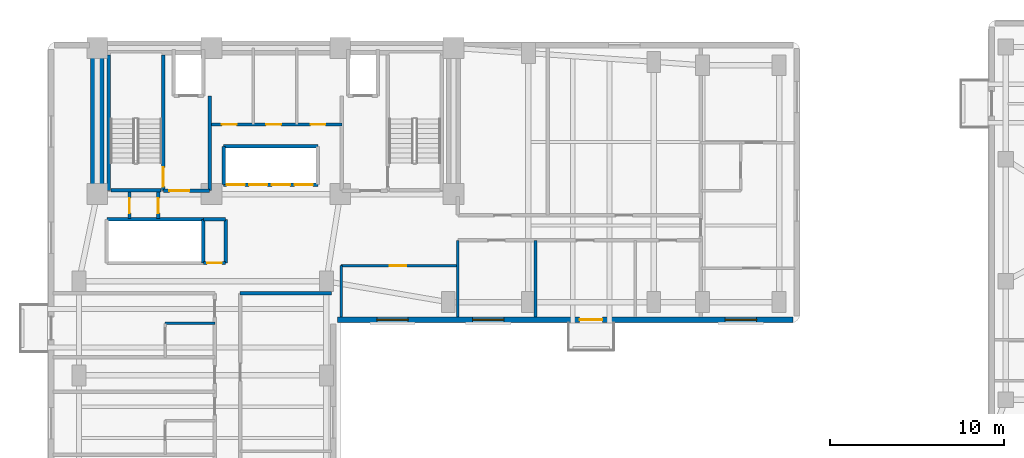
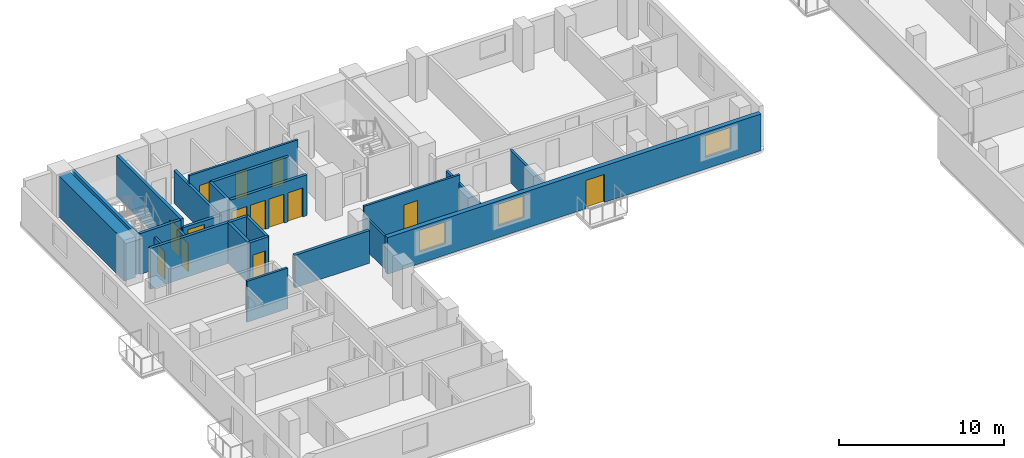
# One storey, part 4 of 11: 24 walls, 14 doors, 3 windows, 17 openings.
"""IFC4 building model written with IfcOpenShell, lengths in metres."""

from ifc_helpers import new_model, si_unit, direction, frame, frame_2d, origin, place, context, subcontext, project, spatial, rectangle, extrude, material, layer, layer_set, type_object, element, fill, save


model = new_model("IFC4")

# Units and contexts
model_context = context("Model", 3, precision=1e-05, world=origin(), true_north=direction((0.0, 1.0)))
body_context = subcontext(model_context, "Body", "Model", "MODEL_VIEW")
ifc_project = project(units=[si_unit("LENGTHUNIT", "METRE"), si_unit("AREAUNIT", "SQUARE_METRE"), si_unit("VOLUMEUNIT", "CUBIC_METRE"), si_unit("PLANEANGLEUNIT", "RADIAN"), si_unit("MASSUNIT", "GRAM", prefix="KILO")], contexts=[model_context])

# Site, building, storey
site_placement = place(None, origin())
site = spatial("IfcSite", under=ifc_project, at=site_placement, CompositionType="ELEMENT")
building_placement = place(site_placement, origin())
building = spatial("IfcBuilding", under=site, at=building_placement, Name="Kuzgunbayir Cultural Tower", CompositionType="ELEMENT")
storey_placement = place(building_placement, frame((0.0, 0.0, 83.39990234375)))
storey = spatial("IfcBuildingStorey", under=building, at=storey_placement, Name="L23", CompositionType="ELEMENT", Elevation=83.39990234375)

# Wall
ifc_material_1 = material(Name="Concrete C60/75", Category="concrete")
ifc_layer_1 = layer(ifc_material_1, 0.800048828125)
ifc_layer_set_1 = layer_set([ifc_layer_1], Name="Concrete C60/75")
wall_type_1 = type_object("IfcWallType", Name="WAL-CORE-800", PredefinedType="SHEAR", material=ifc_layer_set_1)
wall_1_placement = place(storey_placement, frame((6.449951171875, 33.800048828125, 0.0), z_axis=(0.0, 0.0, 1.0), x_axis=(0.0, 1.0, 0.0)))
element("IfcWall", 1, at=wall_1_placement, inside=storey, type_object=wall_type_1, Name="L23 T1 Core West Shear Wall", PredefinedType="SHEAR", context=body_context, shape_type="SweptSolid", body=[
    extrude(rectangle(XDim=7.949951171875, YDim=0.800048828125, at=frame_2d((3.97509765625, 0.0))), origin(), (0.0, 0.0, 1.0), 3.02001953125),
])

# Wall, openings, door, windows
ifc_material_2 = material(Name="Travertine Buff Ashlar", Category="masonry")
ifc_layer_2 = layer(ifc_material_2, 0.320068359375)
ifc_layer_set_2 = layer_set([ifc_layer_2], Name="Travertine Buff Ashlar")
wall_type_2 = type_object("IfcWallType", Name="WAL-EXT-STONE-320", PredefinedType="STANDARD", material=ifc_layer_set_2)
wall_2_placement = place(storey_placement, frame((20.25, 26.60009765625, 0.0), z_axis=(0.0, 0.0, 1.0), x_axis=(1.0, 0.0, 0.0)))
wall_2 = element("IfcWall", 2, at=wall_2_placement, inside=storey, type_object=wall_type_2, Name="L23 Wing B South Limestone Wall", PredefinedType="STANDARD", context=body_context, shape_type="SweptSolid", body=[
    extrude(rectangle(XDim=26.14990234375, YDim=0.320068359375, at=frame_2d((13.074951171875, 0.0))), origin(), (0.0, 0.0, 1.0), 2.710205078125),
])
opening_1_placement = place(wall_2_placement, frame((13.89990234375, 0.0, 0.0)))
opening_1 = element("IfcOpeningElement", 3, at=opening_1_placement, cuts=wall_2, Name="Opening BD-13", PredefinedType="OPENING", context=body_context, shape_type="SweptSolid", body=[
    extrude(rectangle(XDim=1.300048828125, YDim=2.080078125, at=frame_2d((0.64990234375, 1.0400390625))), frame((0.0, 0.169921875, 0.0), z_axis=(0.0, -1.0, 0.0), x_axis=(1.0, 0.0, 0.0)), (0.0, 0.0, 1.0), 0.340087890625),
])
opening_2_placement = place(wall_2_placement, frame((2.25, 0.0, 0.85009765625)))
opening_2 = element("IfcOpeningElement", 4, at=opening_2_placement, cuts=wall_2, Name="Opening WH-18", PredefinedType="OPENING", context=body_context, shape_type="SweptSolid", body=[
    extrude(rectangle(XDim=1.800048828125, YDim=1.610107421875, at=frame_2d((0.89990234375, 0.80517578125))), frame((0.0, 0.169921875, 0.0), z_axis=(0.0, -1.0, 0.0), x_axis=(1.0, 0.0, 0.0)), (0.0, 0.0, 1.0), 0.340087890625),
])
opening_3_placement = place(wall_2_placement, frame((7.75, 0.0, 0.85009765625)))
opening_3 = element("IfcOpeningElement", 5, at=opening_3_placement, cuts=wall_2, Name="Opening WH-18", PredefinedType="OPENING", context=body_context, shape_type="SweptSolid", body=[
    extrude(rectangle(XDim=1.800048828125, YDim=1.610107421875, at=frame_2d((0.89990234375, 0.80517578125))), frame((0.0, 0.169921875, 0.0), z_axis=(0.0, -1.0, 0.0), x_axis=(1.0, 0.0, 0.0)), (0.0, 0.0, 1.0), 0.340087890625),
])
opening_4_placement = place(wall_2_placement, frame((22.25, 0.0, 0.85009765625)))
opening_4 = element("IfcOpeningElement", 6, at=opening_4_placement, cuts=wall_2, Name="Opening WH-18", PredefinedType="OPENING", context=body_context, shape_type="SweptSolid", body=[
    extrude(rectangle(XDim=1.800048828125, YDim=1.610107421875, at=frame_2d((0.89990234375, 0.80517578125))), frame((0.0, 0.169921875, 0.0), z_axis=(0.0, -1.0, 0.0), x_axis=(1.0, 0.0, 0.0)), (0.0, 0.0, 1.0), 0.340087890625),
])
ifc_material_3 = material(Name="Thermally Broken Glazed Aluminium", Category="aluminium")
door_type_1 = type_object("IfcDoorType", Name="DR-BALCONY-135", OperationType="SLIDING_TO_LEFT", PredefinedType="DOOR", material=ifc_material_3)
door_1_placement = place(opening_1_placement, origin())
door_1 = element("IfcDoor", 7, at=door_1_placement, inside=storey, type_object=door_type_1, Name="L23 South Balcony Sliding Door BAL-L23-WB2", OperationType="SLIDING_TO_LEFT", OverallHeight=2.080078125, OverallWidth=1.300048828125, PredefinedType="DOOR", context=body_context, shape_type="SweptSolid", body=[
    extrude(rectangle(XDim=1.300048828125, YDim=2.080078125, at=frame_2d((0.64990234375, 1.0400390625))), frame((0.0, 0.02490234375, 0.0), z_axis=(0.0, -1.0, 0.0), x_axis=(1.0, 0.0, 0.0)), (0.0, 0.0, 1.0), 0.050048828125),
])
fill(opening_1, door_1)
ifc_material_4 = material(Name="Solar-Control Triple Glazing", Category="glass")
window_type = type_object("IfcWindowType", Name="WIN-HOTEL-18", PartitioningType="SINGLE_PANEL", PredefinedType="WINDOW", material=ifc_material_4)
window_1_placement = place(opening_2_placement, origin())
window_1 = element("IfcWindow", 8, at=window_1_placement, inside=storey, type_object=window_type, Name="L23 WBS Facade Window 11", OverallHeight=1.610107421875, OverallWidth=1.800048828125, PartitioningType="SINGLE_PANEL", PredefinedType="WINDOW", context=body_context, shape_type="SweptSolid", body=[
    extrude(rectangle(XDim=1.800048828125, YDim=1.610107421875, at=frame_2d((0.89990234375, 0.80517578125))), frame((0.0, 0.030029296875, 0.0), z_axis=(0.0, -1.0, 0.0), x_axis=(1.0, 0.0, 0.0)), (0.0, 0.0, 1.0), 0.06005859375),
])
fill(opening_2, window_1)
window_2_placement = place(opening_3_placement, origin())
window_2 = element("IfcWindow", 9, at=window_2_placement, inside=storey, type_object=window_type, Name="L23 WBS Facade Window 12", OverallHeight=1.610107421875, OverallWidth=1.800048828125, PartitioningType="SINGLE_PANEL", PredefinedType="WINDOW", context=body_context, shape_type="SweptSolid", body=[
    extrude(rectangle(XDim=1.800048828125, YDim=1.610107421875, at=frame_2d((0.89990234375, 0.80517578125))), frame((0.0, 0.030029296875, 0.0), z_axis=(0.0, -1.0, 0.0), x_axis=(1.0, 0.0, 0.0)), (0.0, 0.0, 1.0), 0.06005859375),
])
fill(opening_3, window_2)
window_3_placement = place(opening_4_placement, origin())
window_3 = element("IfcWindow", 10, at=window_3_placement, inside=storey, type_object=window_type, Name="L23 WBS Facade Window 13", OverallHeight=1.610107421875, OverallWidth=1.800048828125, PartitioningType="SINGLE_PANEL", PredefinedType="WINDOW", context=body_context, shape_type="SweptSolid", body=[
    extrude(rectangle(XDim=1.800048828125, YDim=1.610107421875, at=frame_2d((0.89990234375, 0.80517578125))), frame((0.0, 0.030029296875, 0.0), z_axis=(0.0, -1.0, 0.0), x_axis=(1.0, 0.0, 0.0)), (0.0, 0.0, 1.0), 0.06005859375),
])
fill(opening_4, window_3)

# Wall, opening, door
ifc_material_5 = material(Name="Acoustic Double-Stud Drywall", Category="gypsum")
ifc_layer_3 = layer(ifc_material_5, 0.14990234375)
ifc_layer_set_3 = layer_set([ifc_layer_3], Name="Acoustic Double-Stud Drywall")
wall_type_3 = type_object("IfcWallType", Name="WAL-PART-ACOUSTIC-150", PredefinedType="PARTITIONING", material=ifc_layer_set_3)
wall_3_placement = place(storey_placement, frame((8.300048828125, 32.39990234375, 0.0), z_axis=(0.0, 0.0, 1.0), x_axis=(0.0, 1.0, 0.0)))
wall_3 = element("IfcWall", 11, at=wall_3_placement, inside=storey, type_object=wall_type_3, Name="L23 West Core Closet Divider", PredefinedType="PARTITIONING", context=body_context, shape_type="SweptSolid", body=[
    extrude(rectangle(XDim=1.52001953125, YDim=0.14990234375, at=frame_2d((0.760009765625, 0.0))), origin(), (0.0, 0.0, 1.0), 2.41015625),
])
opening_5_placement = place(wall_3_placement, frame((0.320068359375, 0.0, 0.0)))
opening_5 = element("IfcOpeningElement", 12, at=opening_5_placement, cuts=wall_3, Name="Opening DR-RSR-60", PredefinedType="OPENING", context=body_context, shape_type="SweptSolid", body=[
    extrude(rectangle(XDim=0.85009765625, YDim=2.050048828125, at=frame_2d((0.425048828125, 1.02490234375))), frame((0.0, 0.0849609375, 0.0), z_axis=(0.0, -1.0, 0.0), x_axis=(1.0, 0.0, 0.0)), (0.0, 0.0, 1.0), 0.169921875),
])
ifc_material_6 = material(Name="Steel Access Leaf", Category="steel")
door_type_2 = type_object("IfcDoorType", Name="DR-RISER-60", OperationType="NOTDEFINED", PredefinedType="DOOR", material=ifc_material_6)
door_2_placement = place(opening_5_placement, origin())
door_2 = element("IfcDoor", 13, at=door_2_placement, inside=storey, type_object=door_type_2, Name="L23 Sub-Meter Closet Door", OperationType="SINGLE_SWING_LEFT", OverallHeight=2.050048828125, OverallWidth=0.85009765625, PredefinedType="DOOR", context=body_context, shape_type="SweptSolid", body=[
    extrude(rectangle(XDim=0.85009765625, YDim=2.050048828125, at=frame_2d((0.425048828125, 1.02490234375))), frame((0.0, 0.02490234375, 0.0), z_axis=(0.0, -1.0, 0.0), x_axis=(1.0, 0.0, 0.0)), (0.0, 0.0, 1.0), 0.050048828125),
])
fill(opening_5, door_2)

# Wall, openings, doors
wall_4_placement = place(storey_placement, frame((12.89990234375, 37.800048828125, 0.0), z_axis=(0.0, 0.0, 1.0), x_axis=(1.0, 0.0, 0.0)))
wall_4 = element("IfcWall", 14, at=wall_4_placement, inside=storey, type_object=wall_type_3, Name="L23 Repurposed Core Suite Wall", PredefinedType="PARTITIONING", context=body_context, shape_type="SweptSolid", body=[
    extrude(rectangle(XDim=7.60009765625, YDim=0.14990234375, at=frame_2d((3.800048828125, 0.0))), origin(), (0.0, 0.0, 1.0), 3.02001953125),
])
opening_6_placement = place(wall_4_placement, frame((0.699951171875, 0.0, 0.0)))
opening_6 = element("IfcOpeningElement", 15, at=opening_6_placement, cuts=wall_4, Name="Opening DC-85", PredefinedType="OPENING", context=body_context, shape_type="SweptSolid", body=[
    extrude(rectangle(XDim=0.85009765625, YDim=2.050048828125, at=frame_2d((0.425048828125, 1.02490234375))), frame((0.0, 0.0849609375, 0.0), z_axis=(0.0, -1.0, 0.0), x_axis=(1.0, 0.0, 0.0)), (0.0, 0.0, 1.0), 0.169921875),
])
opening_7_placement = place(wall_4_placement, frame((3.25, 0.0, 0.0)))
opening_7 = element("IfcOpeningElement", 16, at=opening_7_placement, cuts=wall_4, Name="Opening DC-85", PredefinedType="OPENING", context=body_context, shape_type="SweptSolid", body=[
    extrude(rectangle(XDim=0.85009765625, YDim=2.050048828125, at=frame_2d((0.425048828125, 1.02490234375))), frame((0.0, 0.0849609375, 0.0), z_axis=(0.0, -1.0, 0.0), x_axis=(1.0, 0.0, 0.0)), (0.0, 0.0, 1.0), 0.169921875),
])
opening_8_placement = place(wall_4_placement, frame((5.800048828125, 0.0, 0.0)))
opening_8 = element("IfcOpeningElement", 17, at=opening_8_placement, cuts=wall_4, Name="Opening DC-85", PredefinedType="OPENING", context=body_context, shape_type="SweptSolid", body=[
    extrude(rectangle(XDim=0.85009765625, YDim=2.050048828125, at=frame_2d((0.425048828125, 1.02490234375))), frame((0.0, 0.0849609375, 0.0), z_axis=(0.0, -1.0, 0.0), x_axis=(1.0, 0.0, 0.0)), (0.0, 0.0, 1.0), 0.169921875),
])
ifc_material_7 = material(Name="Fire-Rated Veneered Oak Leaf", Category="wood")
door_type_3 = type_object("IfcDoorType", Name="DR-CORE-85", OperationType="NOTDEFINED", PredefinedType="DOOR", material=ifc_material_7)
door_3_placement = place(opening_6_placement, origin())
door_3 = element("IfcDoor", 18, at=door_3_placement, inside=storey, type_object=door_type_3, Name="L23 Phone Booth Door", OperationType="SINGLE_SWING_LEFT", OverallHeight=2.050048828125, OverallWidth=0.85009765625, PredefinedType="DOOR", context=body_context, shape_type="SweptSolid", body=[
    extrude(rectangle(XDim=0.85009765625, YDim=2.050048828125, at=frame_2d((0.425048828125, 1.02490234375))), frame((0.0, 0.02490234375, 0.0), z_axis=(0.0, -1.0, 0.0), x_axis=(1.0, 0.0, 0.0)), (0.0, 0.0, 1.0), 0.050048828125),
])
fill(opening_6, door_3)
door_4_placement = place(opening_7_placement, origin())
door_4 = element("IfcDoor", 19, at=door_4_placement, inside=storey, type_object=door_type_3, Name="L23 Pantry Alcove Door", OperationType="SINGLE_SWING_RIGHT", OverallHeight=2.050048828125, OverallWidth=0.85009765625, PredefinedType="DOOR", context=body_context, shape_type="SweptSolid", body=[
    extrude(rectangle(XDim=0.85009765625, YDim=2.050048828125, at=frame_2d((0.425048828125, 1.02490234375))), frame((0.0, 0.02490234375, 0.0), z_axis=(0.0, -1.0, 0.0), x_axis=(1.0, 0.0, 0.0)), (0.0, 0.0, 1.0), 0.050048828125),
])
fill(opening_7, door_4)
door_5_placement = place(opening_8_placement, origin())
door_5 = element("IfcDoor", 20, at=door_5_placement, inside=storey, type_object=door_type_3, Name="L23 Telecom Closet Door", OperationType="SINGLE_SWING_LEFT", OverallHeight=2.050048828125, OverallWidth=0.85009765625, PredefinedType="DOOR", context=body_context, shape_type="SweptSolid", body=[
    extrude(rectangle(XDim=0.85009765625, YDim=2.050048828125, at=frame_2d((0.425048828125, 1.02490234375))), frame((0.0, 0.02490234375, 0.0), z_axis=(0.0, -1.0, 0.0), x_axis=(1.0, 0.0, 0.0)), (0.0, 0.0, 1.0), 0.050048828125),
])
fill(opening_8, door_5)

# Wall, opening, door
wall_5_placement = place(storey_placement, frame((20.449951171875, 29.699951171875, 0.0), z_axis=(0.0, 0.0, 1.0), x_axis=(1.0, 0.0, 0.0)))
wall_5 = element("IfcWall", 21, at=wall_5_placement, inside=storey, type_object=wall_type_3, Name="L23 Waist Alcove North Wall", PredefinedType="PARTITIONING", context=body_context, shape_type="SweptSolid", body=[
    extrude(rectangle(XDim=6.699951171875, YDim=0.14990234375, at=frame_2d((3.35009765625, 0.0))), origin(), (0.0, 0.0, 1.0), 3.02001953125),
])
opening_9_placement = place(wall_5_placement, frame((2.800048828125, 0.0, 0.0)))
opening_9 = element("IfcOpeningElement", 22, at=opening_9_placement, cuts=wall_5, Name="Opening DI-90", PredefinedType="OPENING", context=body_context, shape_type="SweptSolid", body=[
    extrude(rectangle(XDim=0.949951171875, YDim=2.14990234375, at=frame_2d((0.47509765625, 1.074951171875))), frame((0.0, 0.0849609375, 0.0), z_axis=(0.0, -1.0, 0.0), x_axis=(1.0, 0.0, 0.0)), (0.0, 0.0, 1.0), 0.169921875),
])
ifc_material_8 = material(Name="Veneered Oak Single Leaf", Category="wood")
door_type_4 = type_object("IfcDoorType", Name="DR-INT-90", OperationType="NOTDEFINED", PredefinedType="DOOR", material=ifc_material_8)
door_6_placement = place(opening_9_placement, origin())
door_6 = element("IfcDoor", 23, at=door_6_placement, inside=storey, type_object=door_type_4, Name="L23 Waist Alcove Door", OperationType="SINGLE_SWING_RIGHT", OverallHeight=2.14990234375, OverallWidth=0.949951171875, PredefinedType="DOOR", context=body_context, shape_type="SweptSolid", body=[
    extrude(rectangle(XDim=0.949951171875, YDim=2.14990234375, at=frame_2d((0.47509765625, 1.074951171875))), frame((0.0, 0.02490234375, 0.0), z_axis=(0.0, -1.0, 0.0), x_axis=(1.0, 0.0, 0.0)), (0.0, 0.0, 1.0), 0.050048828125),
])
fill(opening_9, door_6)

# Walls
wall_6_placement = place(storey_placement, frame((20.449951171875, 26.75, 0.0), z_axis=(0.0, 0.0, 1.0), x_axis=(0.0, 1.0, 0.0)))
element("IfcWall", 24, at=wall_6_placement, inside=storey, type_object=wall_type_3, Name="L23 Waist Alcove West Wall", PredefinedType="PARTITIONING", context=body_context, shape_type="SweptSolid", body=[
    extrude(rectangle(XDim=2.949951171875, YDim=0.14990234375, at=frame_2d((1.47509765625, 0.0))), origin(), (0.0, 0.0, 1.0), 2.41015625),
])
for number, where, z_axis, x_axis, name in (
    (25, (27.14990234375, 26.75, 0.0), (0.0, 0.0, 1.0), (0.0, 1.0, 0.0), "L23 Waist Alcove East Wall"),
    (26, (31.610107421875, 26.75, 0.0), (0.0, 0.0, 1.0), (0.0, 1.0, 0.0), "L23 Wing B South Divider 1"),
):
    element("IfcWall", number, at=place(storey_placement, frame(where, z_axis=z_axis, x_axis=x_axis)), inside=storey, type_object=wall_type_3, Name=name, PredefinedType="PARTITIONING", context=body_context, shape_type="SweptSolid", body=[
        extrude(rectangle(XDim=4.39990234375, YDim=0.14990234375, at=frame_2d((2.199951171875, 0.0))), origin(), (0.0, 0.0, 1.0), 2.41015625),
    ])
ifc_material_9 = material(Name="Aerated Concrete Blockwork", Category="masonry")
ifc_layer_4 = layer(ifc_material_9, 0.199951171875)
ifc_layer_set_4 = layer_set([ifc_layer_4], Name="Aerated Concrete Blockwork")
wall_type_4 = type_object("IfcWallType", Name="WAL-PART-FIRE-200", PredefinedType="PARTITIONING", material=ifc_layer_set_4)
wall_7_placement = place(storey_placement, frame((12.89990234375, 34.0, 0.0), z_axis=(0.0, 0.0, 1.0), x_axis=(0.0, 1.0, 0.0)))
element("IfcWall", 27, at=wall_7_placement, inside=storey, type_object=wall_type_4, Name="L23 FFL-1 Lobby East Fire Wall", PredefinedType="PARTITIONING", context=body_context, shape_type="SweptSolid", body=[
    extrude(rectangle(XDim=5.449951171875, YDim=0.199951171875, at=frame_2d((2.72509765625, 0.0))), origin(), (0.0, 0.0, 1.0), 2.41015625),
])

# Wall, opening, door
wall_8_placement = place(storey_placement, frame((10.239990234375, 34.0, 0.0), z_axis=(0.0, 0.0, 1.0), x_axis=(1.0, 0.0, 0.0)))
wall_8 = element("IfcWall", 28, at=wall_8_placement, inside=storey, type_object=wall_type_4, Name="L23 FFL-1 Lobby South Fire Wall", PredefinedType="PARTITIONING", context=body_context, shape_type="SweptSolid", body=[
    extrude(rectangle(XDim=2.659912109375, YDim=0.199951171875, at=frame_2d((1.330078125, 0.0))), origin(), (0.0, 0.0, 1.0), 2.41015625),
])
opening_10_placement = place(wall_8_placement, frame((0.35009765625, 0.0, 0.0)))
opening_10 = element("IfcOpeningElement", 29, at=opening_10_placement, cuts=wall_8, Name="Opening DR-FFL-90", PredefinedType="OPENING", context=body_context, shape_type="SweptSolid", body=[
    extrude(rectangle(XDim=1.14990234375, YDim=2.14990234375, at=frame_2d((0.574951171875, 1.074951171875))), frame((0.0, 0.10986328125, 0.0), z_axis=(0.0, -1.0, 0.0), x_axis=(1.0, 0.0, 0.0)), (0.0, 0.0, 1.0), 0.219970703125),
])
ifc_material_10 = material(Name="Steel S355J2", Category="steel")
door_type_5 = type_object("IfcDoorType", Name="DR-FFL-90", OperationType="NOTDEFINED", PredefinedType="DOOR", material=ifc_material_10)
door_7_placement = place(opening_10_placement, origin())
door_7 = element("IfcDoor", 30, at=door_7_placement, inside=storey, type_object=door_type_5, Name="L23 Firefighting Lobby 1 Door", OperationType="SINGLE_SWING_RIGHT", OverallHeight=2.14990234375, OverallWidth=1.14990234375, PredefinedType="DOOR", context=body_context, shape_type="SweptSolid", body=[
    extrude(rectangle(XDim=1.14990234375, YDim=2.14990234375, at=frame_2d((0.574951171875, 1.074951171875))), frame((0.0, 0.02490234375, 0.0), z_axis=(0.0, -1.0, 0.0), x_axis=(1.0, 0.0, 0.0)), (0.0, 0.0, 1.0), 0.050048828125),
])
fill(opening_10, door_7)

wall_9_placement = place(storey_placement, frame((9.949951171875, 32.39990234375, 0.0), z_axis=(0.0, 0.0, 1.0), x_axis=(0.0, 1.0, 0.0)))
wall_9 = element("IfcWall", 31, at=wall_9_placement, inside=storey, type_object=wall_type_4, Name="L23 West Core Service Closet Wall", PredefinedType="PARTITIONING", context=body_context, shape_type="SweptSolid", body=[
    extrude(rectangle(XDim=1.52001953125, YDim=0.199951171875, at=frame_2d((0.760009765625, 0.0))), origin(), (0.0, 0.0, 1.0), 2.41015625),
])
opening_11_placement = place(wall_9_placement, frame((0.320068359375, 0.0, 0.0)))
opening_11 = element("IfcOpeningElement", 32, at=opening_11_placement, cuts=wall_9, Name="Opening DR-RSR-60", PredefinedType="OPENING", context=body_context, shape_type="SweptSolid", body=[
    extrude(rectangle(XDim=0.85009765625, YDim=2.050048828125, at=frame_2d((0.425048828125, 1.02490234375))), frame((0.0, 0.10986328125, 0.0), z_axis=(0.0, -1.0, 0.0), x_axis=(1.0, 0.0, 0.0)), (0.0, 0.0, 1.0), 0.219970703125),
])
door_8_placement = place(opening_11_placement, origin())
door_8 = element("IfcDoor", 33, at=door_8_placement, inside=storey, type_object=door_type_2, Name="L23 Cleaner Store Door", OperationType="SINGLE_SWING_RIGHT", OverallHeight=2.050048828125, OverallWidth=0.85009765625, PredefinedType="DOOR", context=body_context, shape_type="SweptSolid", body=[
    extrude(rectangle(XDim=0.85009765625, YDim=2.050048828125, at=frame_2d((0.425048828125, 1.02490234375))), frame((0.0, 0.02490234375, 0.0), z_axis=(0.0, -1.0, 0.0), x_axis=(1.0, 0.0, 0.0)), (0.0, 0.0, 1.0), 0.050048828125),
])
fill(opening_11, door_8)

wall_10_placement = place(storey_placement, frame((12.550048828125, 29.85009765625, 0.0), z_axis=(0.0, 0.0, 1.0), x_axis=(1.0, 0.0, 0.0)))
wall_10 = element("IfcWall", 34, at=wall_10_placement, inside=storey, type_object=wall_type_4, Name="L23 Center Core Switchgear South Wall", PredefinedType="PARTITIONING", context=body_context, shape_type="SweptSolid", body=[
    extrude(rectangle(XDim=1.27001953125, YDim=0.199951171875, at=frame_2d((0.635009765625, 0.0))), origin(), (0.0, 0.0, 1.0), 3.02001953125),
])
opening_12_placement = place(wall_10_placement, frame((0.2099609375, 0.0, 0.0)))
opening_12 = element("IfcOpeningElement", 35, at=opening_12_placement, cuts=wall_10, Name="Opening DR-RSR-60", PredefinedType="OPENING", context=body_context, shape_type="SweptSolid", body=[
    extrude(rectangle(XDim=0.85009765625, YDim=2.050048828125, at=frame_2d((0.425048828125, 1.02490234375))), frame((0.0, 0.10986328125, 0.0), z_axis=(0.0, -1.0, 0.0), x_axis=(1.0, 0.0, 0.0)), (0.0, 0.0, 1.0), 0.219970703125),
])
door_9_placement = place(opening_12_placement, origin())
door_9 = element("IfcDoor", 36, at=door_9_placement, inside=storey, type_object=door_type_2, Name="L23 Telecom Closet Door", OperationType="SINGLE_SWING_RIGHT", OverallHeight=2.050048828125, OverallWidth=0.85009765625, PredefinedType="DOOR", context=body_context, shape_type="SweptSolid", body=[
    extrude(rectangle(XDim=0.85009765625, YDim=2.050048828125, at=frame_2d((0.425048828125, 1.02490234375))), frame((0.0, 0.02490234375, 0.0), z_axis=(0.0, -1.0, 0.0), x_axis=(1.0, 0.0, 0.0)), (0.0, 0.0, 1.0), 0.050048828125),
])
fill(opening_12, door_9)

# Walls
wall_11_placement = place(storey_placement, frame((13.820068359375, 29.85009765625, 0.0), z_axis=(0.0, 0.0, 1.0), x_axis=(0.0, 1.0, 0.0)))
element("IfcWall", 37, at=wall_11_placement, inside=storey, type_object=wall_type_4, Name="L23 Center Core Switchgear East Wall", PredefinedType="PARTITIONING", context=body_context, shape_type="SweptSolid", body=[
    extrude(rectangle(XDim=2.5, YDim=0.199951171875, at=frame_2d((1.25, 0.0))), origin(), (0.0, 0.0, 1.0), 3.02001953125),
])
wall_12_placement = place(storey_placement, frame((12.550048828125, 32.35009765625, 0.0), z_axis=(0.0, 0.0, 1.0), x_axis=(1.0, 0.0, 0.0)))
element("IfcWall", 38, at=wall_12_placement, inside=storey, type_object=wall_type_4, Name="L23 Center Core Switchgear North Wall", PredefinedType="PARTITIONING", context=body_context, shape_type="SweptSolid", body=[
    extrude(rectangle(XDim=1.27001953125, YDim=0.199951171875, at=frame_2d((0.635009765625, 0.0))), origin(), (0.0, 0.0, 1.0), 3.02001953125),
])
wall_13_placement = place(storey_placement, frame((14.659912109375, 28.10009765625, 0.0), z_axis=(0.0, 0.0, 1.0), x_axis=(1.0, 0.0, 0.0)))
element("IfcWall", 39, at=wall_13_placement, inside=storey, type_object=wall_type_4, Name="L23 North East Partition", PredefinedType="PARTITIONING", context=body_context, shape_type="SweptSolid", body=[
    extrude(rectangle(XDim=5.239990234375, YDim=0.199951171875, at=frame_2d((2.6201171875, 0.0))), origin(), (0.0, 0.0, 1.0), 2.41015625),
])
ifc_material_11 = material(Name="Moisture-Resistant Tile Partition", Category="gypsum")
ifc_layer_5 = layer(ifc_material_11, 0.14990234375)
ifc_layer_set_5 = layer_set([ifc_layer_5], Name="Moisture-Resistant Tile Partition")
wall_type_5 = type_object("IfcWallType", Name="WAL-PART-WET-150", PredefinedType="PARTITIONING", material=ifc_layer_set_5)
wall_14_placement = place(storey_placement, frame((10.35009765625, 26.3798828125, 0.0), z_axis=(0.0, 0.0, 1.0), x_axis=(1.0, 0.0, 0.0)))
element("IfcWall", 40, at=wall_14_placement, inside=storey, type_object=wall_type_5, Name="L23 Suite W3 En-Suite North Wall", PredefinedType="PARTITIONING", context=body_context, shape_type="SweptSolid", body=[
    extrude(rectangle(XDim=2.849853515625, YDim=0.14990234375, at=frame_2d((1.4248046875, 0.0))), origin(), (0.0, 0.0, 1.0), 3.02001953125),
])
ifc_material_12 = material(Name="Concrete C40/50", Category="concrete")
ifc_layer_6 = layer(ifc_material_12, 0.199951171875)
ifc_layer_set_6 = layer_set([ifc_layer_6], Name="Concrete C40/50")
wall_type_6 = type_object("IfcWallType", Name="WAL-SHAFT-200", PredefinedType="MOVABLE", material=ifc_layer_set_6)
wall_15_placement = place(storey_placement, frame((7.0, 32.35009765625, 0.0), z_axis=(0.0, 0.0, 1.0), x_axis=(1.0, 0.0, 0.0)))
element("IfcWall", 41, at=wall_15_placement, inside=storey, type_object=wall_type_6, Name="L23 High-Rise Lift Shaft North Wall", PredefinedType="MOVABLE", context=body_context, shape_type="SweptSolid", body=[
    extrude(rectangle(XDim=5.550048828125, YDim=0.199951171875, at=frame_2d((2.77490234375, 0.0))), origin(), (0.0, 0.0, 1.0), 3.02001953125),
])
wall_16_placement = place(storey_placement, frame((12.550048828125, 29.85009765625, 0.0), z_axis=(0.0, 0.0, 1.0), x_axis=(0.0, 1.0, 0.0)))
element("IfcWall", 42, at=wall_16_placement, inside=storey, type_object=wall_type_6, Name="L23 High-Rise Lift Shaft East Wall", PredefinedType="MOVABLE", context=body_context, shape_type="SweptSolid", body=[
    extrude(rectangle(XDim=2.5, YDim=0.199951171875, at=frame_2d((1.25, 0.0))), origin(), (0.0, 0.0, 1.0), 3.02001953125),
])

# Wall, openings, doors
wall_17_placement = place(storey_placement, frame((13.699951171875, 34.35009765625, 0.0), z_axis=(0.0, 0.0, 1.0), x_axis=(1.0, 0.0, 0.0)))
wall_17 = element("IfcWall", 43, at=wall_17_placement, inside=storey, type_object=wall_type_6, Name="L23 Mid-Rise Lift Front Wall", PredefinedType="MOVABLE", context=body_context, shape_type="SweptSolid", body=[
    extrude(rectangle(XDim=5.420166015625, YDim=0.199951171875, at=frame_2d((2.7099609375, 0.0))), origin(), (0.0, 0.0, 1.0), 3.02001953125),
])
opening_13_placement = place(wall_17_placement, frame((0.179931640625, 0.0, 0.0)))
opening_13 = element("IfcOpeningElement", 44, at=opening_13_placement, cuts=wall_17, Name="Opening LD", PredefinedType="OPENING", context=body_context, shape_type="SweptSolid", body=[
    extrude(rectangle(XDim=1.050048828125, YDim=2.14990234375, at=frame_2d((0.52490234375, 1.074951171875))), frame((0.0, 0.10986328125, 0.0), z_axis=(0.0, -1.0, 0.0), x_axis=(1.0, 0.0, 0.0)), (0.0, 0.0, 1.0), 0.219970703125),
])
opening_14_placement = place(wall_17_placement, frame((1.469970703125, 0.0, 0.0)))
opening_14 = element("IfcOpeningElement", 45, at=opening_14_placement, cuts=wall_17, Name="Opening LD", PredefinedType="OPENING", context=body_context, shape_type="SweptSolid", body=[
    extrude(rectangle(XDim=1.050048828125, YDim=2.14990234375, at=frame_2d((0.52490234375, 1.074951171875))), frame((0.0, 0.10986328125, 0.0), z_axis=(0.0, -1.0, 0.0), x_axis=(1.0, 0.0, 0.0)), (0.0, 0.0, 1.0), 0.219970703125),
])
opening_15_placement = place(wall_17_placement, frame((2.780029296875, 0.0, 0.0)))
opening_15 = element("IfcOpeningElement", 46, at=opening_15_placement, cuts=wall_17, Name="Opening LD", PredefinedType="OPENING", context=body_context, shape_type="SweptSolid", body=[
    extrude(rectangle(XDim=1.050048828125, YDim=2.14990234375, at=frame_2d((0.52490234375, 1.074951171875))), frame((0.0, 0.10986328125, 0.0), z_axis=(0.0, -1.0, 0.0), x_axis=(1.0, 0.0, 0.0)), (0.0, 0.0, 1.0), 0.219970703125),
])
opening_16_placement = place(wall_17_placement, frame((4.080078125, 0.0, 0.0)))
opening_16 = element("IfcOpeningElement", 47, at=opening_16_placement, cuts=wall_17, Name="Opening LD", PredefinedType="OPENING", context=body_context, shape_type="SweptSolid", body=[
    extrude(rectangle(XDim=1.050048828125, YDim=2.14990234375, at=frame_2d((0.52490234375, 1.074951171875))), frame((0.0, 0.10986328125, 0.0), z_axis=(0.0, -1.0, 0.0), x_axis=(1.0, 0.0, 0.0)), (0.0, 0.0, 1.0), 0.219970703125),
])
ifc_material_13 = material(Name="Brushed Stainless Steel", Category="steel")
door_type_6 = type_object("IfcDoorType", Name="DR-LIFT-LANDING", OperationType="SLIDING_TO_LEFT", PredefinedType="DOOR", material=ifc_material_13)
door_10_placement = place(opening_13_placement, origin())
door_10 = element("IfcDoor", 48, at=door_10_placement, inside=storey, type_object=door_type_6, Name="L23 Lift PM-1 Landing Door", OperationType="SLIDING_TO_LEFT", OverallHeight=2.14990234375, OverallWidth=1.050048828125, PredefinedType="DOOR", context=body_context, shape_type="SweptSolid", body=[
    extrude(rectangle(XDim=1.050048828125, YDim=2.14990234375, at=frame_2d((0.52490234375, 1.074951171875))), frame((0.0, 0.02490234375, 0.0), z_axis=(0.0, -1.0, 0.0), x_axis=(1.0, 0.0, 0.0)), (0.0, 0.0, 1.0), 0.050048828125),
])
fill(opening_13, door_10)
door_11_placement = place(opening_14_placement, origin())
door_11 = element("IfcDoor", 49, at=door_11_placement, inside=storey, type_object=door_type_6, Name="L23 Lift PM-2 Landing Door", OperationType="SLIDING_TO_LEFT", OverallHeight=2.14990234375, OverallWidth=1.050048828125, PredefinedType="DOOR", context=body_context, shape_type="SweptSolid", body=[
    extrude(rectangle(XDim=1.050048828125, YDim=2.14990234375, at=frame_2d((0.52490234375, 1.074951171875))), frame((0.0, 0.02490234375, 0.0), z_axis=(0.0, -1.0, 0.0), x_axis=(1.0, 0.0, 0.0)), (0.0, 0.0, 1.0), 0.050048828125),
])
fill(opening_14, door_11)
door_12_placement = place(opening_15_placement, origin())
door_12 = element("IfcDoor", 50, at=door_12_placement, inside=storey, type_object=door_type_6, Name="L23 Lift PM-3 Landing Door", OperationType="SLIDING_TO_LEFT", OverallHeight=2.14990234375, OverallWidth=1.050048828125, PredefinedType="DOOR", context=body_context, shape_type="SweptSolid", body=[
    extrude(rectangle(XDim=1.050048828125, YDim=2.14990234375, at=frame_2d((0.52490234375, 1.074951171875))), frame((0.0, 0.02490234375, 0.0), z_axis=(0.0, -1.0, 0.0), x_axis=(1.0, 0.0, 0.0)), (0.0, 0.0, 1.0), 0.050048828125),
])
fill(opening_15, door_12)
door_13_placement = place(opening_16_placement, origin())
door_13 = element("IfcDoor", 51, at=door_13_placement, inside=storey, type_object=door_type_6, Name="L23 Lift PM-4 Landing Door", OperationType="SLIDING_TO_LEFT", OverallHeight=2.14990234375, OverallWidth=1.050048828125, PredefinedType="DOOR", context=body_context, shape_type="SweptSolid", body=[
    extrude(rectangle(XDim=1.050048828125, YDim=2.14990234375, at=frame_2d((0.52490234375, 1.074951171875))), frame((0.0, 0.02490234375, 0.0), z_axis=(0.0, -1.0, 0.0), x_axis=(1.0, 0.0, 0.0)), (0.0, 0.0, 1.0), 0.050048828125),
])
fill(opening_16, door_13)

# Walls
wall_18_placement = place(storey_placement, frame((13.699951171875, 36.550048828125, 0.0), z_axis=(0.0, 0.0, 1.0), x_axis=(1.0, 0.0, 0.0)))
element("IfcWall", 52, at=wall_18_placement, inside=storey, type_object=wall_type_6, Name="L23 Mid-Rise Lift Shaft North Wall", PredefinedType="MOVABLE", context=body_context, shape_type="SweptSolid", body=[
    extrude(rectangle(XDim=5.420166015625, YDim=0.199951171875, at=frame_2d((2.7099609375, 0.0))), origin(), (0.0, 0.0, 1.0), 3.02001953125),
])
wall_19_placement = place(storey_placement, frame((13.699951171875, 34.35009765625, 0.0), z_axis=(0.0, 0.0, 1.0), x_axis=(0.0, 1.0, 0.0)))
element("IfcWall", 53, at=wall_19_placement, inside=storey, type_object=wall_type_6, Name="L23 Mid-Rise Lift Shaft West Wall", PredefinedType="MOVABLE", context=body_context, shape_type="SweptSolid", body=[
    extrude(rectangle(XDim=2.199951171875, YDim=0.199951171875, at=frame_2d((1.10009765625, 0.0))), origin(), (0.0, 0.0, 1.0), 3.02001953125),
])
ifc_layer_7 = layer(ifc_material_12, 0.199951171875)
ifc_layer_set_7 = layer_set([ifc_layer_7], Name="Concrete C40/50")
wall_type_7 = type_object("IfcWallType", Name="WAL-STAIR-RC-200", PredefinedType="SHEAR", material=ifc_layer_set_7)
wall_20_placement = place(storey_placement, frame((7.1201171875, 34.02001953125, 0.0), z_axis=(0.0, 0.0, 1.0), x_axis=(0.0, 1.0, 0.0)))
element("IfcWall", 54, at=wall_20_placement, inside=storey, type_object=wall_type_7, Name="L23 Stair ST-1 West Structural Wall", PredefinedType="SHEAR", context=body_context, shape_type="SweptSolid", body=[
    extrude(rectangle(XDim=7.780029296875, YDim=0.199951171875, at=frame_2d((3.89013671875, 0.0))), origin(), (0.0, 0.0, 1.0), 3.02001953125),
])

# Wall, opening, door
wall_21_placement = place(storey_placement, frame((10.239990234375, 34.02001953125, 0.0), z_axis=(0.0, 0.0, 1.0), x_axis=(0.0, 1.0, 0.0)))
wall_21 = element("IfcWall", 55, at=wall_21_placement, inside=storey, type_object=wall_type_7, Name="L23 Stair ST-1 East Structural Wall", PredefinedType="SHEAR", context=body_context, shape_type="SweptSolid", body=[
    extrude(rectangle(XDim=7.780029296875, YDim=0.199951171875, at=frame_2d((3.89013671875, 0.0))), origin(), (0.0, 0.0, 1.0), 3.02001953125),
])
opening_17_placement = place(wall_21_placement, frame((0.219970703125, 0.0, 0.0)))
opening_17 = element("IfcOpeningElement", 56, at=opening_17_placement, cuts=wall_21, Name="Opening DR-STAIR-90", PredefinedType="OPENING", context=body_context, shape_type="SweptSolid", body=[
    extrude(rectangle(XDim=1.10009765625, YDim=2.14990234375, at=frame_2d((0.550048828125, 1.074951171875))), frame((0.0, 0.10986328125, 0.0), z_axis=(0.0, -1.0, 0.0), x_axis=(1.0, 0.0, 0.0)), (0.0, 0.0, 1.0), 0.219970703125),
])
door_type_7 = type_object("IfcDoorType", Name="DR-STAIR-90", OperationType="NOTDEFINED", PredefinedType="DOOR", material=ifc_material_10)
door_14_placement = place(opening_17_placement, origin())
door_14 = element("IfcDoor", 57, at=door_14_placement, inside=storey, type_object=door_type_7, Name="L23 Stair ST-1 Fire Door", OperationType="SINGLE_SWING_LEFT", OverallHeight=2.14990234375, OverallWidth=1.10009765625, PredefinedType="DOOR", context=body_context, shape_type="SweptSolid", body=[
    extrude(rectangle(XDim=1.10009765625, YDim=2.14990234375, at=frame_2d((0.550048828125, 1.074951171875))), frame((0.0, 0.02490234375, 0.0), z_axis=(0.0, -1.0, 0.0), x_axis=(1.0, 0.0, 0.0)), (0.0, 0.0, 1.0), 0.050048828125),
])
fill(opening_17, door_14)

# Wall
wall_22_placement = place(storey_placement, frame((7.239990234375, 34.02001953125, 0.0), z_axis=(0.0, 0.0, 1.0), x_axis=(1.0, 0.0, 0.0)))
element("IfcWall", 58, at=wall_22_placement, inside=storey, type_object=wall_type_7, Name="L23 Stair ST-1 South Structural Wall", PredefinedType="SHEAR", context=body_context, shape_type="SweptSolid", body=[
    extrude(rectangle(XDim=2.880126953125, YDim=0.199951171875, at=frame_2d((1.43994140625, 0.0))), origin(), (0.0, 0.0, 1.0), 3.02001953125),
])

save(model, "model.ifc")
